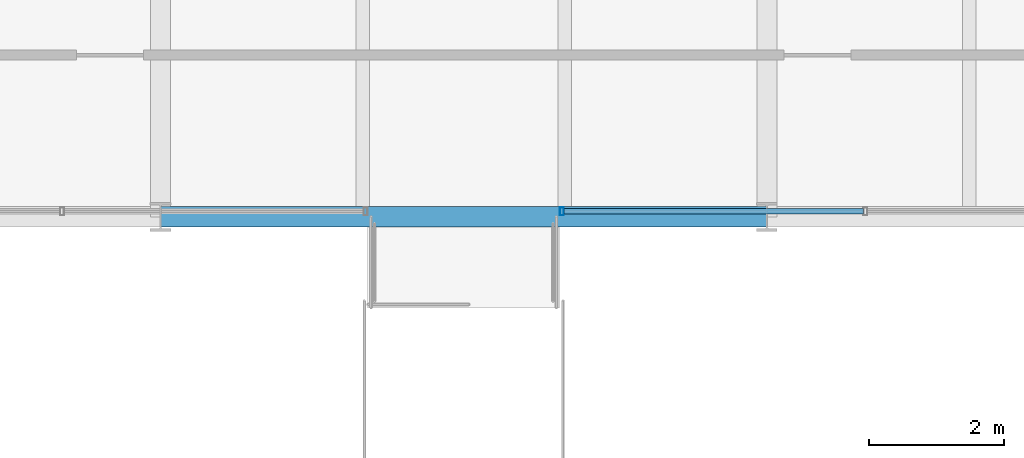
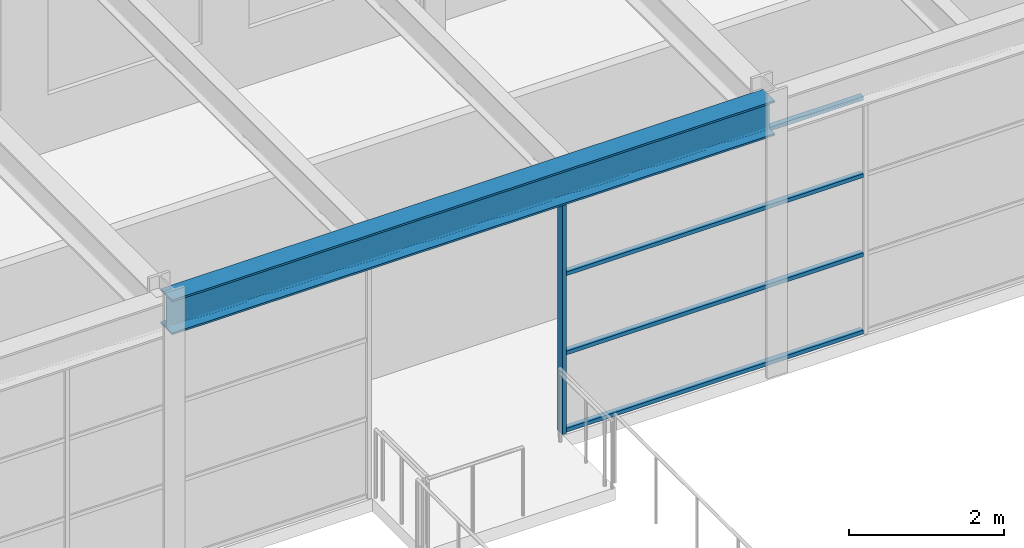
# One storey, part 62 of 153: 5 members, 1 beam, 1 element without a shape of its own.
"""IFC4 building model written with IfcOpenShell, lengths in metres."""

from ifc_helpers import new_model, si_unit, direction, frame, origin, origin_2d, place, context, subcontext, project, spatial, hollow_rectangle, i_section, extrude, material, material_profile, profile_set, type_object, element, aggregate, save


model = new_model("IFC4")

# Units and contexts
model_context = context("Model", 3, precision=1e-05, world=origin(), true_north=direction((0.0, 1.0)))
body_context = subcontext(model_context, "Body", "Model", "MODEL_VIEW")
ifc_project = project(units=[si_unit("LENGTHUNIT", "METRE"), si_unit("AREAUNIT", "SQUARE_METRE"), si_unit("VOLUMEUNIT", "CUBIC_METRE"), si_unit("PLANEANGLEUNIT", "RADIAN"), si_unit("MASSUNIT", "GRAM", prefix="KILO")], contexts=[model_context])

# Site, building, storey
site_placement = place(None, origin())
site = spatial("IfcSite", under=ifc_project, at=site_placement, CompositionType="ELEMENT")
building_placement = place(site_placement, origin())
building = spatial("IfcBuilding", under=site, at=building_placement, Name="Kallimachos Central Library", CompositionType="ELEMENT")
storey_placement = place(building_placement, frame((0.0, 0.0, 5.39990234375)))
storey = spatial("IfcBuildingStorey", under=building, at=storey_placement, Name="L01", CompositionType="ELEMENT", Elevation=5.39990234375)

# Curtain wall, members
ifc_material_1 = material(Name="Aluminium and laminated glass", Category="aluminium")
curtain_wall_type = type_object("IfcCurtainWallType", Name="Atrium glazed screen", PredefinedType="NOTDEFINED", material=ifc_material_1)
curtain_wall_placement = place(storey_placement, origin())
curtain_wall = element("IfcCurtainWall", 1, at=curtain_wall_placement, inside=storey, type_object=curtain_wall_type, Name="L01 atrium screen N", PredefinedType="NOTDEFINED")
ifc_material_2 = material(Name="Anodised aluminium", Category="aluminium")
ifc_material_profile_1 = material_profile(ifc_material_2, hollow_rectangle(XDim=0.06005859375, YDim=0.1201171875, WallThickness=0.00390625, at=origin_2d()), Name="ALU MULLION 60x120")
ifc_profile_set_1 = profile_set([ifc_material_profile_1], Name="Anodised aluminium")
member_type_1 = type_object("IfcMemberType", Name="Atrium screen mullion", PredefinedType="MULLION", material=ifc_profile_set_1)
member_1_placement = place(storey_placement, frame((89.455078125, 75.080078125, 0.0), z_axis=(0.0, 0.0, 1.0), x_axis=(1.0, 0.0, 0.0)))
member_1 = element("IfcMember", 2, at=member_1_placement, type_object=member_type_1, Name="CW mullion 1", PredefinedType="MULLION", context=body_context, shape_type="SweptSolid", body=[
    extrude(hollow_rectangle(XDim=0.06005859375, YDim=0.1201171875, WallThickness=0.00390625, at=origin_2d()), origin(), (0.0, 0.0, 1.0), 3.75),
])
ifc_material_3 = material(Name="Anodised aluminium", Category="aluminium")
ifc_material_profile_2 = material_profile(ifc_material_3, hollow_rectangle(XDim=0.06005859375, YDim=0.080078125, WallThickness=0.00390625, at=origin_2d()), Name="ALU TRANSOM 60x80")
ifc_profile_set_2 = profile_set([ifc_material_profile_2], Name="Anodised aluminium")
member_type_2 = type_object("IfcMemberType", Name="Atrium screen transom", PredefinedType="USERDEFINED", material=ifc_profile_set_2)
member_2_placement = place(storey_placement, frame((89.485107421875, 75.080078125, 0.030029296875), z_axis=(1.0, 0.0, 0.0), x_axis=(0.0, 0.0, 1.0)))
member_2 = element("IfcMember", 3, at=member_2_placement, type_object=member_type_2, Name="CW transom 1.1", ObjectType="TRANSOM", PredefinedType="USERDEFINED", context=body_context, shape_type="SweptSolid", body=[
    extrude(hollow_rectangle(XDim=0.06005859375, YDim=0.080078125, WallThickness=0.00390625, at=origin_2d()), origin(), (0.0, 0.0, 1.0), 4.447509765625),
])
member_3_placement = place(storey_placement, frame((89.485107421875, 75.080078125, 1.25), z_axis=(1.0, 0.0, 0.0), x_axis=(0.0, 0.0, 1.0)))
member_3 = element("IfcMember", 4, at=member_3_placement, type_object=member_type_2, Name="CW transom 1.2", ObjectType="TRANSOM", PredefinedType="USERDEFINED", context=body_context, shape_type="SweptSolid", body=[
    extrude(hollow_rectangle(XDim=0.06005859375, YDim=0.080078125, WallThickness=0.00390625, at=origin_2d()), origin(), (0.0, 0.0, 1.0), 4.447509765625),
])
member_4_placement = place(storey_placement, frame((89.485107421875, 75.080078125, 2.5), z_axis=(1.0, 0.0, 0.0), x_axis=(0.0, 0.0, 1.0)))
member_4 = element("IfcMember", 5, at=member_4_placement, type_object=member_type_2, Name="CW transom 1.3", ObjectType="TRANSOM", PredefinedType="USERDEFINED", context=body_context, shape_type="SweptSolid", body=[
    extrude(hollow_rectangle(XDim=0.06005859375, YDim=0.080078125, WallThickness=0.00390625, at=origin_2d()), origin(), (0.0, 0.0, 1.0), 4.447509765625),
])
member_5_placement = place(storey_placement, frame((89.485107421875, 75.080078125, 3.72021484375), z_axis=(1.0, 0.0, 0.0), x_axis=(0.0, 0.0, 1.0)))
member_5 = element("IfcMember", 6, at=member_5_placement, type_object=member_type_2, Name="CW transom 1.4", ObjectType="TRANSOM", PredefinedType="USERDEFINED", context=body_context, shape_type="SweptSolid", body=[
    extrude(hollow_rectangle(XDim=0.06005859375, YDim=0.080078125, WallThickness=0.00390625, at=origin_2d()), origin(), (0.0, 0.0, 1.0), 4.447509765625),
])
aggregate(curtain_wall, [member_1, member_2, member_3, member_4, member_5])

# Beam
ifc_material_4 = material(Name="Steel S355J2", Category="steel")
ifc_material_profile_3 = material_profile(ifc_material_4, i_section(OverallWidth=0.300048828125, OverallDepth=0.550048828125, WebThickness=0.014892578125, FlangeThickness=0.029052734375, FilletRadius=0.027099609375, at=origin_2d()), Name="HEB 550")
ifc_profile_set_3 = profile_set([ifc_material_profile_3], Name="Steel S355J2")
beam_type = type_object("IfcBeamType", Name="HEB 550 beam", PredefinedType="BEAM", material=ifc_profile_set_3)
beam_placement = place(storey_placement, frame((83.5, 75.0, 4.025146484375), z_axis=(1.0, 0.0, 0.0), x_axis=(0.0, 1.0, 0.0)))
element("IfcBeam", 7, at=beam_placement, inside=storey, type_object=beam_type, Name="V4-BEM-L01-002", PredefinedType="BEAM", context=body_context, shape_type="SweptSolid", body=[
    extrude(i_section(OverallWidth=0.300048828125, OverallDepth=0.550048828125, WebThickness=0.014892578125, FlangeThickness=0.029052734375, FilletRadius=0.027099609375, at=origin_2d()), origin(), (0.0, 0.0, 1.0), 9.0),
])

save(model, "model.ifc")
